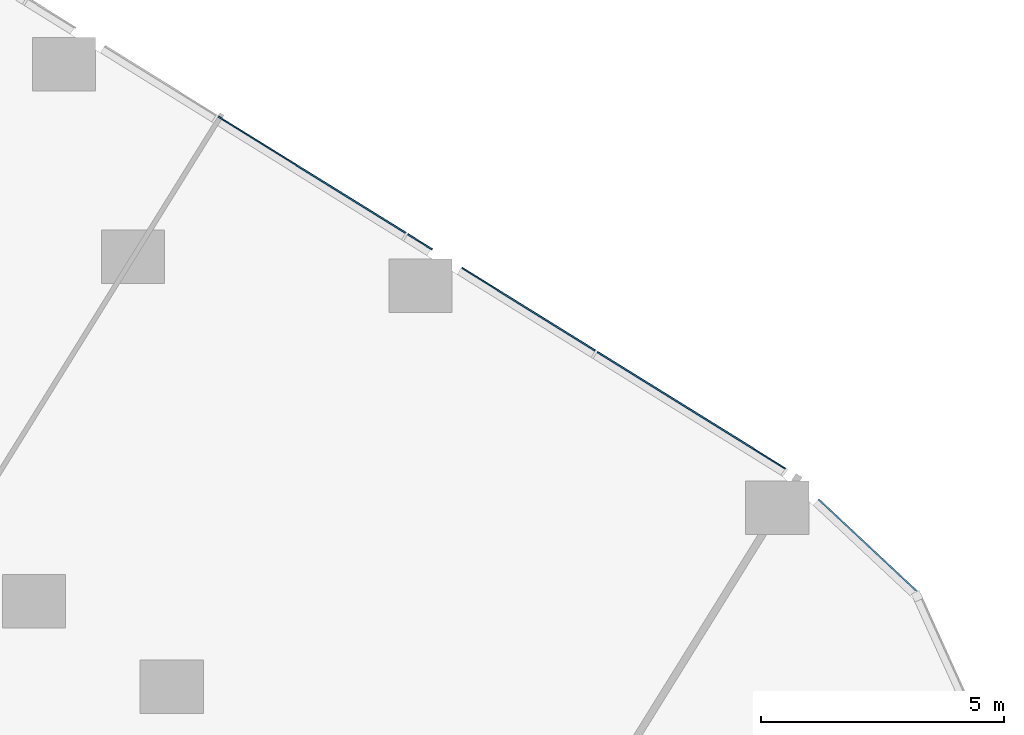
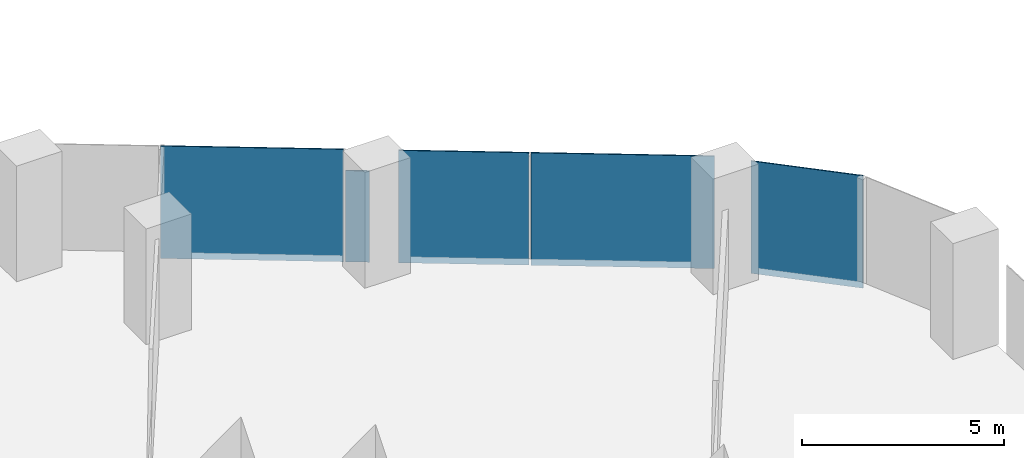
# One storey, part 24 of 33: 5 plates, 2 elements without a shape of their own.
"""IFC4 building model written with IfcOpenShell, lengths in metres."""

from ifc_helpers import new_model, si_unit, direction, frame, origin, origin_2d, place, context, subcontext, project, spatial, rectangle, extrude, material, layer, layer_set, type_object, element, aggregate, save


model = new_model("IFC4")

# Units and contexts
model_context = context("Model", 3, precision=1e-05, world=origin(), true_north=direction((0.0, 1.0)))
body_context = subcontext(model_context, "Body", "Model", "MODEL_VIEW")
ifc_project = project(units=[si_unit("LENGTHUNIT", "METRE"), si_unit("AREAUNIT", "SQUARE_METRE"), si_unit("VOLUMEUNIT", "CUBIC_METRE"), si_unit("PLANEANGLEUNIT", "RADIAN"), si_unit("MASSUNIT", "GRAM", prefix="KILO")], contexts=[model_context])

# Site, building, storey
site_placement = place(None, origin())
site = spatial("IfcSite", under=ifc_project, at=site_placement, CompositionType="ELEMENT")
building_placement = place(site_placement, origin())
building = spatial("IfcBuilding", under=site, at=building_placement, Name="Orlundy Tower", CompositionType="ELEMENT")
storey_placement = place(building_placement, frame((0.0, 0.0, 51.300048828125)))
storey = spatial("IfcBuildingStorey", under=building, at=storey_placement, Name="L11", CompositionType="ELEMENT", Elevation=51.300048828125)

# Curtain wall, plates
ifc_material_1 = material(Name="Aluminium bronze anodised", Category="aluminium")
curtain_wall_type = type_object("IfcCurtainWallType", Name="CW1 wall", PredefinedType="NOTDEFINED", material=ifc_material_1)
curtain_wall_1_placement = place(storey_placement, origin())
curtain_wall_1 = element("IfcCurtainWall", 1, at=curtain_wall_1_placement, inside=storey, type_object=curtain_wall_type, Name="CW1 run 06", PredefinedType="NOTDEFINED")
ifc_material_2 = material(Name="Tinted glass", Category="glass")
ifc_layer = layer(ifc_material_2, 0.031982421875)
ifc_layer_set = layer_set([ifc_layer], Name="CW1 glass panel 32")
plate_type = type_object("IfcPlateType", Name="CW1 glass panel 32", PredefinedType="CURTAIN_PANEL", material=ifc_layer_set)
plate_1_placement = place(storey_placement, frame((43.3681640625, -3.19091796875, -0.300048828125), z_axis=(0.0, 0.0, 1.0), x_axis=(0.849584043137, -0.527453271529, 0.0)))
plate_1 = element("IfcPlate", 2, at=plate_1_placement, type_object=plate_type, Name="CW1 panel", PredefinedType="CURTAIN_PANEL", context=body_context, shape_type="SweptSolid", body=[
    extrude(rectangle(XDim=4.538818359375, YDim=0.031982421875, at=origin_2d()), origin(), (0.0, 0.0, 1.0), 3.39990234375),
])
plate_2_placement = place(storey_placement, frame((45.591552734375, -4.571044921875, -0.30029296875), z_axis=(0.0, 0.0, 1.0), x_axis=(0.849584043137, -0.527453271529, 0.0)))
plate_2 = element("IfcPlate", 3, at=plate_2_placement, type_object=plate_type, Name="CW1 panel", PredefinedType="CURTAIN_PANEL", context=body_context, shape_type="SweptSolid", body=[
    extrude(rectangle(XDim=0.594970703125, YDim=0.031982421875, at=origin_2d()), origin(), (0.0, 0.0, 1.0), 2.760009765625),
])
plate_3_placement = place(storey_placement, frame((47.824462890625, -5.957275390625, -0.300048828125), z_axis=(0.0, 0.0, 1.0), x_axis=(0.849584043137, -0.527453271529, 0.0)))
plate_3 = element("IfcPlate", 4, at=plate_3_placement, type_object=plate_type, Name="CW1 panel", PredefinedType="CURTAIN_PANEL", context=body_context, shape_type="SweptSolid", body=[
    extrude(rectangle(XDim=3.22607421875, YDim=0.031982421875, at=origin_2d()), origin(), (0.0, 0.0, 1.0), 3.39990234375),
])
plate_4_placement = place(storey_placement, frame((51.172119140625, -8.03564453125, -0.300048828125), z_axis=(0.0, 0.0, 1.0), x_axis=(0.849584043137, -0.527453271529, 0.0)))
plate_4 = element("IfcPlate", 5, at=plate_4_placement, type_object=plate_type, Name="CW1 panel", PredefinedType="CURTAIN_PANEL", context=body_context, shape_type="SweptSolid", body=[
    extrude(rectangle(XDim=4.5546875, YDim=0.031982421875, at=origin_2d()), origin(), (0.0, 0.0, 1.0), 3.39990234375),
])
aggregate(curtain_wall_1, [plate_1, plate_2, plate_3, plate_4])

# Curtain wall, plate
curtain_wall_2_placement = place(storey_placement, origin())
curtain_wall_2 = element("IfcCurtainWall", 6, at=curtain_wall_2_placement, inside=storey, type_object=curtain_wall_type, Name="CW1 run 07", PredefinedType="NOTDEFINED")
plate_5_placement = place(storey_placement, frame((54.828857421875, -10.84033203125, -0.300048828125), z_axis=(0.0, 0.0, 1.0), x_axis=(0.730445026852, -0.682971494828, 0.0)))
plate_5 = element("IfcPlate", 7, at=plate_5_placement, type_object=plate_type, Name="CW1 panel", PredefinedType="CURTAIN_PANEL", context=body_context, shape_type="SweptSolid", body=[
    extrude(rectangle(XDim=2.85546875, YDim=0.031982421875, at=origin_2d()), origin(), (0.0, 0.0, 1.0), 3.39990234375),
])
aggregate(curtain_wall_2, [plate_5])

save(model, "model.ifc")
